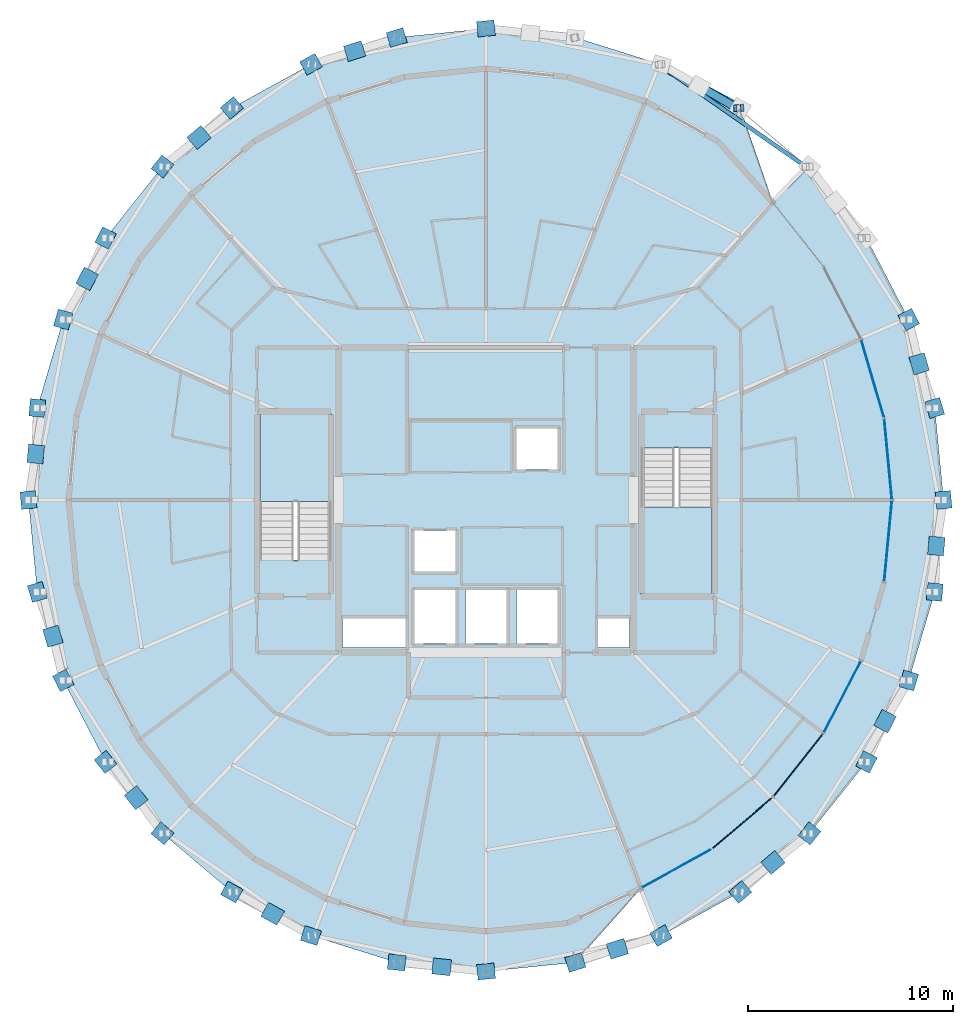
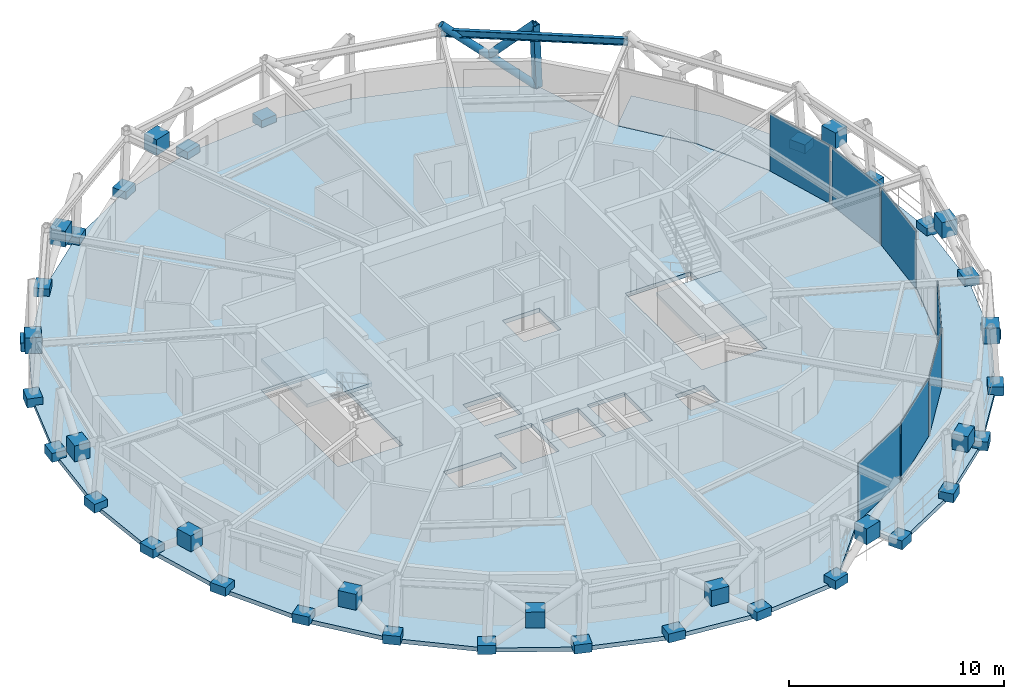
# One storey, part 9 of 15: 47 plates, 4 slabs, 3 members, 1 beam, 4 elements without a shape of their own.
"""IFC4 building model written with IfcOpenShell, lengths in metres."""

from ifc_helpers import new_model, si_unit, direction, frame, origin, origin_2d, place, context, subcontext, project, spatial, polyline, rectangle, hollow_rectangle, hollow_circle, i_section, outline, extrude, material, layer, layer_set, material_profile, profile_set, type_object, element, aggregate, save


model = new_model("IFC4")

# Units and contexts
model_context = context("Model", 3, precision=1e-05, world=origin(), true_north=direction((0.0, 1.0)))
body_context = subcontext(model_context, "Body", "Model", "MODEL_VIEW")
ifc_project = project(units=[si_unit("LENGTHUNIT", "METRE"), si_unit("AREAUNIT", "SQUARE_METRE"), si_unit("VOLUMEUNIT", "CUBIC_METRE"), si_unit("PLANEANGLEUNIT", "RADIAN"), si_unit("MASSUNIT", "GRAM", prefix="KILO")], contexts=[model_context])

# Site, building, storey
site_placement = place(None, origin())
site = spatial("IfcSite", under=ifc_project, at=site_placement, CompositionType="ELEMENT")
building_placement = place(site_placement, origin())
building = spatial("IfcBuilding", under=site, at=building_placement, Name="Veldorina Hangang Commons", CompositionType="ELEMENT")
storey_placement = place(building_placement, frame((0.0, 0.0, 258.0)))
storey = spatial("IfcBuildingStorey", under=building, at=storey_placement, Name="L67", CompositionType="ELEMENT", Elevation=258.0)

# Beam
ifc_material_1 = material(Name="Steel SM355-TMC", Category="steel")
ifc_material_profile_1 = material_profile(ifc_material_1, i_section(OverallWidth=0.199951171875, OverallDepth=0.39990234375, WebThickness=0.008056640625, FlangeThickness=0.012939453125, FilletRadius=0.012939453125, at=origin_2d()), Name="H-400x200x8x13")
ifc_profile_set_1 = profile_set([ifc_material_profile_1], Name="Steel SM355-TMC")
beam_type = type_object("IfcBeamType", Name="BM-RB400", PredefinedType="BEAM", material=ifc_profile_set_1)
beam_placement = place(storey_placement, frame((47.633544921875, 40.279541015625, 3.159912109375), z_axis=(-0.820856224935, 0.571134885981, 0.0), x_axis=(-0.571134885981, -0.820856224935, 0.0)))
element("IfcBeam", 1, at=beam_placement, inside=storey, type_object=beam_type, Name="L67 perimeter hoop ring beam 04", PredefinedType="BEAM", context=body_context, shape_type="SweptSolid", body=[
    extrude(i_section(OverallWidth=0.199951171875, OverallDepth=0.39990234375, WebThickness=0.008056640625, FlangeThickness=0.012939453125, FilletRadius=0.012939453125, at=origin_2d()), origin(), (0.0, 0.0, 1.0), 8.73828125),
])

# Members
ifc_material_profile_2 = material_profile(ifc_material_1, hollow_circle(Radius=0.199951171875, WallThickness=0.02001953125, at=origin_2d()), Name="CHS-400x20")
ifc_profile_set_2 = profile_set([ifc_material_profile_2], Name="Steel SM355-TMC")
member_type_1 = type_object("IfcMemberType", Name="DG-CHS400", PredefinedType="BRACE", material=ifc_profile_set_2)
member_1_placement = place(storey_placement, frame((44.418701171875, 43.151611328125, 0.0), z_axis=(-0.689047508184, 0.367379034182, 0.624696867856), x_axis=(-0.470475597011, -0.882413005694, 0.0)))
element("IfcMember", 2, at=member_1_placement, inside=storey, type_object=member_type_1, Name="L67 continuous perimeter diagrid brace 05", PredefinedType="BRACE", context=body_context, shape_type="SweptSolid", body=[
    extrude(hollow_circle(Radius=0.199951171875, WallThickness=0.02001953125, at=origin_2d()), origin(), (0.0, 0.0, 1.0), 5.762939453125),
])
member_2_placement = place(storey_placement, frame((42.423583984375, 44.21533203125, 1.80859375), z_axis=(0.661177037442, -0.385745064683, 0.643463806466), x_axis=(0.503928005216, 0.863745660226, 0.0)))
element("IfcMember", 3, at=member_2_placement, inside=storey, type_object=member_type_1, Name="L67 split perimeter diagrid upper brace 06", PredefinedType="BRACE", context=body_context, shape_type="SweptSolid", body=[
    extrude(hollow_circle(Radius=0.199951171875, WallThickness=0.02001953125, at=origin_2d()), origin(), (0.0, 0.0, 1.0), 2.7841796875),
])
ifc_material_profile_3 = material_profile(ifc_material_1, hollow_rectangle(XDim=0.35009765625, YDim=0.35009765625, WallThickness=0.01611328125, at=origin_2d()), Name="SHS-350x350x16")
ifc_profile_set_3 = profile_set([ifc_material_profile_3], Name="Steel SM355-TMC")
member_type_2 = type_object("IfcMemberType", Name="STR-SHS350", PredefinedType="STRUT", material=ifc_profile_set_3)
member_3_placement = place(storey_placement, frame((44.418701171875, 43.151611328125, 0.0), z_axis=(-0.042819597271, -0.002845606148, 0.999078767973), x_axis=(0.066309434359, -0.997799107494, 0.0)))
element("IfcMember", 4, at=member_3_placement, inside=storey, type_object=member_type_2, Name="L67 perimeter ring node post 05", PredefinedType="STRUT", context=body_context, shape_type="SweptSolid", body=[
    extrude(hollow_rectangle(XDim=0.35009765625, YDim=0.35009765625, WallThickness=0.01611328125, at=origin_2d()), origin(), (0.0, 0.0, 1.0), 3.603515625),
])

# Curtain wall, plates
ifc_material_2 = material(Name="Glass Low-E Selective", Category="glass")
ifc_layer_1 = layer(ifc_material_2, 0.179931640625)
ifc_layer_set_1 = layer_set([ifc_layer_1], Name="Glass Low-E Selective")
curtain_wall_type = type_object("IfcCurtainWallType", Name="CW-SYS-Z3", PredefinedType="NOTDEFINED", material=ifc_layer_set_1)
curtain_wall_1_placement = place(storey_placement, origin())
curtain_wall_1 = element("IfcCurtainWall", 5, at=curtain_wall_1_placement, inside=storey, type_object=curtain_wall_type, Name="L67 unitised curtain wall CW-L67-R1", PredefinedType="NOTDEFINED")
ifc_material_3 = material(Name="Glass Low-E Triple IGU", Category="glass")
ifc_layer_2 = layer(ifc_material_3, 0.0400390625)
ifc_layer_set_2 = layer_set([ifc_layer_2], Name="Glass Low-E Triple IGU")
plate_type_1 = type_object("IfcPlateType", Name="CW-PNL-VIS", PredefinedType="CURTAIN_PANEL", material=ifc_layer_set_2)
plate_1_placement = place(storey_placement, frame((41.30419921875, 5.99609375, 0.014892578125), z_axis=(0.0, 0.0, 1.0), x_axis=(0.875160698933, 0.483832358408, 0.0)))
plate_1 = element("IfcPlate", 6, at=plate_1_placement, type_object=plate_type_1, Name="CW-L67-R1 facet 1 glazed vision panel", PredefinedType="CURTAIN_PANEL", context=body_context, shape_type="SweptSolid", body=[
    extrude(rectangle(XDim=3.73779296875, YDim=0.0400390625, at=origin_2d()), origin(), (0.0, 0.0, 1.0), 3.2900390625),
])
plate_2_placement = place(storey_placement, frame((44.521240234375, 8.219482421875, 0.014892578125), z_axis=(0.0, 0.0, 1.0), x_axis=(0.762374747289, 0.647135800814, 0.0)))
plate_2 = element("IfcPlate", 7, at=plate_2_placement, type_object=plate_type_1, Name="CW-L67-R1 facet 2 glazed vision panel", PredefinedType="CURTAIN_PANEL", context=body_context, shape_type="SweptSolid", body=[
    extrude(rectangle(XDim=3.76220703125, YDim=0.0400390625, at=origin_2d()), origin(), (0.0, 0.0, 1.0), 3.2900390625),
])
plate_3_placement = place(storey_placement, frame((47.257080078125, 11.04931640625, 0.014892578125), z_axis=(0.0, 0.0, 1.0), x_axis=(0.621571708307, 0.783357269343, 0.0)))
plate_3 = element("IfcPlate", 8, at=plate_3_placement, type_object=plate_type_1, Name="CW-L67-R1 facet 3 glazed vision panel", PredefinedType="CURTAIN_PANEL", context=body_context, shape_type="SweptSolid", body=[
    extrude(rectangle(XDim=3.7880859375, YDim=0.0400390625, at=origin_2d()), origin(), (0.0, 0.0, 1.0), 3.2900390625),
])
plate_4_placement = place(storey_placement, frame((49.40673828125, 14.376708984375, 0.014892578125), z_axis=(0.0, 0.0, 1.0), x_axis=(0.459083760002, 0.888392988099, 0.0)))
plate_4 = element("IfcPlate", 9, at=plate_4_placement, type_object=plate_type_1, Name="CW-L67-R1 facet 4 glazed vision panel", PredefinedType="CURTAIN_PANEL", context=body_context, shape_type="SweptSolid", body=[
    extrude(rectangle(XDim=3.81201171875, YDim=0.0400390625, at=origin_2d()), origin(), (0.0, 0.0, 1.0), 3.2900390625),
])
aggregate(curtain_wall_1, [plate_1, plate_2, plate_3, plate_4])

curtain_wall_2_placement = place(storey_placement, origin())
curtain_wall_2 = element("IfcCurtainWall", 10, at=curtain_wall_2_placement, inside=storey, type_object=curtain_wall_type, Name="L67 unitised curtain wall CW-L67-R2", PredefinedType="NOTDEFINED")
plate_5_placement = place(storey_placement, frame((51.642333984375, 21.9990234375, 0.014892578125), z_axis=(0.0, 0.0, 1.0), x_axis=(0.094803323696, 0.995496021999, 0.0)))
plate_5 = element("IfcPlate", 11, at=plate_5_placement, type_object=plate_type_1, Name="CW-L67-R2 facet 1 glazed vision panel", PredefinedType="CURTAIN_PANEL", context=body_context, shape_type="SweptSolid", body=[
    extrude(rectangle(XDim=3.840087890625, YDim=0.0400390625, at=origin_2d()), origin(), (0.0, 0.0, 1.0), 3.2900390625),
])
plate_6_placement = place(storey_placement, frame((51.642333984375, 26.0009765625, 0.014892578125), z_axis=(0.0, 0.0, 1.0), x_axis=(-0.094803323696, 0.995496021999, 0.0)))
plate_6 = element("IfcPlate", 12, at=plate_6_placement, type_object=plate_type_1, Name="CW-L67-R2 facet 2 glazed vision panel", PredefinedType="CURTAIN_PANEL", context=body_context, shape_type="SweptSolid", body=[
    extrude(rectangle(XDim=3.840087890625, YDim=0.0400390625, at=origin_2d()), origin(), (0.0, 0.0, 1.0), 3.2900390625),
])
plate_7_placement = place(storey_placement, frame((50.887451171875, 29.926025390625, 0.014892578125), z_axis=(0.0, 0.0, 1.0), x_axis=(-0.281420451592, 0.959584560852, 0.0)))
plate_7 = element("IfcPlate", 13, at=plate_7_placement, type_object=plate_type_1, Name="CW-L67-R2 facet 3 glazed vision panel", PredefinedType="CURTAIN_PANEL", context=body_context, shape_type="SweptSolid", body=[
    extrude(rectangle(XDim=3.830322265625, YDim=0.0400390625, at=origin_2d()), origin(), (0.0, 0.0, 1.0), 3.2900390625),
])
aggregate(curtain_wall_2, [plate_5, plate_6, plate_7])

# Plates
ifc_material_4 = material(Name="Steel SM460-TMC", Category="steel")
ifc_layer_3 = layer(ifc_material_4, 0.035888671875)
ifc_layer_set_3 = layer_set([ifc_layer_3], Name="Steel SM460-TMC")
plate_type_2 = type_object("IfcPlateType", Name="PL-STAR-36", PredefinedType="USERDEFINED", material=ifc_layer_set_3)
for number, where, z_axis, x_axis, name in (
    (14, (54.352783203125, 24.0, -0.090087890625), (0.0, 0.0, 1.0), (-0.095150811579, 0.995462868748, 0.0), "L67 diagrid star-node gusset plate 00"),
    (15, (53.92333984375, 28.49365234375, -0.090087890625), (0.0, 0.0, 1.0), (-0.282408428904, 0.95929426105, 0.0), "L67 diagrid star-node gusset plate 01"),
):
    element("IfcPlate", number, at=place(storey_placement, frame(where, z_axis=z_axis, x_axis=x_axis)), inside=storey, type_object=plate_type_2, Name=name, ObjectType="GUSSET PLATE", PredefinedType="USERDEFINED", context=body_context, shape_type="SweptSolid", body=[
        extrude(rectangle(XDim=0.85009765625, YDim=0.75, at=origin_2d()), origin(), (0.0, 0.0, 1.0), 0.5),
    ])
plate_8_placement = place(storey_placement, frame((53.158447265625, 30.6533203125, 1.351318359375), z_axis=(0.0, 0.0, 1.0), x_axis=(-0.282408428904, 0.95929426105, 0.0)))
element("IfcPlate", 16, at=plate_8_placement, inside=storey, type_object=plate_type_2, Name="L67 diagrid X-crossing star-node gusset plate 01", ObjectType="GUSSET PLATE", PredefinedType="USERDEFINED", context=body_context, shape_type="SweptSolid", body=[
    extrude(rectangle(XDim=0.89990234375, YDim=0.780029296875, at=origin_2d()), origin(), (0.0, 0.0, 1.0), 0.89990234375),
])
for number, where, z_axis, x_axis, name in (
    (17, (52.6513671875, 32.814453125, -0.090087890625), (0.0, 0.0, 1.0), (-0.460463184651, 0.887678802034, 0.0), "L67 diagrid star-node gusset plate 02"),
    (18, (32.0, 47.033203125, -0.090087890625), (0.0, 0.0, 1.0), (-0.994889523866, -0.100969477078, 0.0), "L67 diagrid star-node gusset plate 08"),
    (19, (27.63916015625, 46.5908203125, -0.090087890625), (0.0, 0.0, 1.0), (-0.954459280468, -0.29834121728, 0.0), "L67 diagrid star-node gusset plate 09"),
):
    element("IfcPlate", number, at=place(storey_placement, frame(where, z_axis=z_axis, x_axis=x_axis)), inside=storey, type_object=plate_type_2, Name=name, ObjectType="GUSSET PLATE", PredefinedType="USERDEFINED", context=body_context, shape_type="SweptSolid", body=[
        extrude(rectangle(XDim=0.85009765625, YDim=0.75, at=origin_2d()), origin(), (0.0, 0.0, 1.0), 0.5),
    ])
plate_9_placement = place(storey_placement, frame((25.583984375, 45.926025390625, 1.3603515625), z_axis=(0.0, 0.0, 1.0), x_axis=(-0.954459280468, -0.29834121728, 0.0)))
element("IfcPlate", 20, at=plate_9_placement, inside=storey, type_object=plate_type_2, Name="L67 diagrid X-crossing star-node gusset plate 09", ObjectType="GUSSET PLATE", PredefinedType="USERDEFINED", context=body_context, shape_type="SweptSolid", body=[
    extrude(rectangle(XDim=0.89990234375, YDim=0.780029296875, at=origin_2d()), origin(), (0.0, 0.0, 1.0), 0.89990234375),
])
for number, where, z_axis, x_axis, name in (
    (21, (23.446044921875, 45.280029296875, -0.090087890625), (0.0, 0.0, 1.0), (-0.875928041357, -0.482441775103, 0.0), "L67 diagrid star-node gusset plate 10"),
    (22, (19.581298828125, 43.151611328125, -0.090087890625), (0.0, 0.0, 1.0), (-0.763559404739, -0.645737590229, 0.0), "L67 diagrid star-node gusset plate 11"),
):
    element("IfcPlate", number, at=place(storey_placement, frame(where, z_axis=z_axis, x_axis=x_axis)), inside=storey, type_object=plate_type_2, Name=name, ObjectType="GUSSET PLATE", PredefinedType="USERDEFINED", context=body_context, shape_type="SweptSolid", body=[
        extrude(rectangle(XDim=0.85009765625, YDim=0.75, at=origin_2d()), origin(), (0.0, 0.0, 1.0), 0.5),
    ])
plate_10_placement = place(storey_placement, frame((17.97998046875, 41.709716796875, 1.356689453125), z_axis=(0.0, 0.0, 1.0), x_axis=(-0.763559404739, -0.645737590229, 0.0)))
element("IfcPlate", 23, at=plate_10_placement, inside=storey, type_object=plate_type_2, Name="L67 diagrid X-crossing star-node gusset plate 11", ObjectType="GUSSET PLATE", PredefinedType="USERDEFINED", context=body_context, shape_type="SweptSolid", body=[
    extrude(rectangle(XDim=0.89990234375, YDim=0.780029296875, at=origin_2d()), origin(), (0.0, 0.0, 1.0), 0.89990234375),
])
for number, where, z_axis, x_axis, name in (
    (24, (16.194091796875, 40.287109375, -0.090087890625), (0.0, 0.0, 1.0), (-0.622992588578, -0.782227738307, 0.0), "L67 diagrid star-node gusset plate 12"),
    (25, (13.414306640625, 36.796630859375, -0.090087890625), (0.0, 0.0, 1.0), (-0.460463184651, -0.887678802034, 0.0), "L67 diagrid star-node gusset plate 13"),
):
    element("IfcPlate", number, at=place(storey_placement, frame(where, z_axis=z_axis, x_axis=x_axis)), inside=storey, type_object=plate_type_2, Name=name, ObjectType="GUSSET PLATE", PredefinedType="USERDEFINED", context=body_context, shape_type="SweptSolid", body=[
        extrude(rectangle(XDim=0.85009765625, YDim=0.75, at=origin_2d()), origin(), (0.0, 0.0, 1.0), 0.5),
    ])
plate_11_placement = place(storey_placement, frame((12.50830078125, 34.80029296875, 1.352783203125), z_axis=(0.0, 0.0, 1.0), x_axis=(-0.460463184651, -0.887678802034, 0.0)))
element("IfcPlate", 26, at=plate_11_placement, inside=storey, type_object=plate_type_2, Name="L67 diagrid X-crossing star-node gusset plate 13", ObjectType="GUSSET PLATE", PredefinedType="USERDEFINED", context=body_context, shape_type="SweptSolid", body=[
    extrude(rectangle(XDim=0.89990234375, YDim=0.780029296875, at=origin_2d()), origin(), (0.0, 0.0, 1.0), 0.89990234375),
])
for number, where, z_axis, x_axis, name in (
    (27, (11.3486328125, 32.814453125, -0.090087890625), (0.0, 0.0, 1.0), (-0.282408428904, -0.95929426105, 0.0), "L67 diagrid star-node gusset plate 14"),
    (28, (10.07666015625, 28.49365234375, -0.090087890625), (0.0, 0.0, 1.0), (-0.095150811579, -0.995462868748, 0.0), "L67 diagrid star-node gusset plate 15"),
):
    element("IfcPlate", number, at=place(storey_placement, frame(where, z_axis=z_axis, x_axis=x_axis)), inside=storey, type_object=plate_type_2, Name=name, ObjectType="GUSSET PLATE", PredefinedType="USERDEFINED", context=body_context, shape_type="SweptSolid", body=[
        extrude(rectangle(XDim=0.85009765625, YDim=0.75, at=origin_2d()), origin(), (0.0, 0.0, 1.0), 0.5),
    ])
plate_12_placement = place(storey_placement, frame((10.000732421875, 26.24609375, 1.3505859375), z_axis=(0.0, 0.0, 1.0), x_axis=(-0.095150811579, -0.995462868748, 0.0)))
element("IfcPlate", 29, at=plate_12_placement, inside=storey, type_object=plate_type_2, Name="L67 diagrid X-crossing star-node gusset plate 15", ObjectType="GUSSET PLATE", PredefinedType="USERDEFINED", context=body_context, shape_type="SweptSolid", body=[
    extrude(rectangle(XDim=0.89990234375, YDim=0.780029296875, at=origin_2d()), origin(), (0.0, 0.0, 1.0), 0.89990234375),
])
for number, where, z_axis, x_axis, name in (
    (30, (9.647216796875, 24.0, -0.090087890625), (0.0, 0.0, 1.0), (0.095150811579, -0.995462868748, 0.0), "L67 diagrid star-node gusset plate 16"),
    (31, (10.07666015625, 19.50634765625, -0.090087890625), (0.0, 0.0, 1.0), (0.282408428904, -0.95929426105, 0.0), "L67 diagrid star-node gusset plate 17"),
):
    element("IfcPlate", number, at=place(storey_placement, frame(where, z_axis=z_axis, x_axis=x_axis)), inside=storey, type_object=plate_type_2, Name=name, ObjectType="GUSSET PLATE", PredefinedType="USERDEFINED", context=body_context, shape_type="SweptSolid", body=[
        extrude(rectangle(XDim=0.85009765625, YDim=0.75, at=origin_2d()), origin(), (0.0, 0.0, 1.0), 0.5),
    ])
plate_13_placement = place(storey_placement, frame((10.841552734375, 17.3466796875, 1.351318359375), z_axis=(0.0, 0.0, 1.0), x_axis=(0.282408428904, -0.95929426105, 0.0)))
element("IfcPlate", 32, at=plate_13_placement, inside=storey, type_object=plate_type_2, Name="L67 diagrid X-crossing star-node gusset plate 17", ObjectType="GUSSET PLATE", PredefinedType="USERDEFINED", context=body_context, shape_type="SweptSolid", body=[
    extrude(rectangle(XDim=0.89990234375, YDim=0.780029296875, at=origin_2d()), origin(), (0.0, 0.0, 1.0), 0.89990234375),
])
for number, where, z_axis, x_axis, name in (
    (33, (11.3486328125, 15.185546875, -0.090087890625), (0.0, 0.0, 1.0), (0.460463184651, -0.887678802034, 0.0), "L67 diagrid star-node gusset plate 18"),
    (34, (13.414306640625, 11.203369140625, -0.090087890625), (0.0, 0.0, 1.0), (0.622992588578, -0.782227738307, 0.0), "L67 diagrid star-node gusset plate 19"),
):
    element("IfcPlate", number, at=place(storey_placement, frame(where, z_axis=z_axis, x_axis=x_axis)), inside=storey, type_object=plate_type_2, Name=name, ObjectType="GUSSET PLATE", PredefinedType="USERDEFINED", context=body_context, shape_type="SweptSolid", body=[
        extrude(rectangle(XDim=0.85009765625, YDim=0.75, at=origin_2d()), origin(), (0.0, 0.0, 1.0), 0.5),
    ])
plate_14_placement = place(storey_placement, frame((14.90625, 9.4580078125, 1.354736328125), z_axis=(0.0, 0.0, 1.0), x_axis=(0.622992588578, -0.782227738307, 0.0)))
element("IfcPlate", 35, at=plate_14_placement, inside=storey, type_object=plate_type_2, Name="L67 diagrid X-crossing star-node gusset plate 19", ObjectType="GUSSET PLATE", PredefinedType="USERDEFINED", context=body_context, shape_type="SweptSolid", body=[
    extrude(rectangle(XDim=0.89990234375, YDim=0.780029296875, at=origin_2d()), origin(), (0.0, 0.0, 1.0), 0.89990234375),
])
for number, where, z_axis, x_axis, name in (
    (36, (16.194091796875, 7.712890625, -0.090087890625), (0.0, 0.0, 1.0), (0.763559404739, -0.645737590229, 0.0), "L67 diagrid star-node gusset plate 20"),
    (37, (19.581298828125, 4.848388671875, -0.090087890625), (0.0, 0.0, 1.0), (0.875928041357, -0.482441775103, 0.0), "L67 diagrid star-node gusset plate 21"),
):
    element("IfcPlate", number, at=place(storey_placement, frame(where, z_axis=z_axis, x_axis=x_axis)), inside=storey, type_object=plate_type_2, Name=name, ObjectType="GUSSET PLATE", PredefinedType="USERDEFINED", context=body_context, shape_type="SweptSolid", body=[
        extrude(rectangle(XDim=0.85009765625, YDim=0.75, at=origin_2d()), origin(), (0.0, 0.0, 1.0), 0.5),
    ])
plate_15_placement = place(storey_placement, frame((21.576416015625, 3.78466796875, 1.358642578125), z_axis=(0.0, 0.0, 1.0), x_axis=(0.875928041357, -0.482441775103, 0.0)))
element("IfcPlate", 38, at=plate_15_placement, inside=storey, type_object=plate_type_2, Name="L67 diagrid X-crossing star-node gusset plate 21", ObjectType="GUSSET PLATE", PredefinedType="USERDEFINED", context=body_context, shape_type="SweptSolid", body=[
    extrude(rectangle(XDim=0.89990234375, YDim=0.780029296875, at=origin_2d()), origin(), (0.0, 0.0, 1.0), 0.89990234375),
])
for number, where, z_axis, x_axis, name in (
    (39, (23.446044921875, 2.719970703125, -0.090087890625), (0.0, 0.0, 1.0), (0.954459280468, -0.29834121728, 0.0), "L67 diagrid star-node gusset plate 22"),
    (40, (27.63916015625, 1.4091796875, -0.090087890625), (0.0, 0.0, 1.0), (0.994889523866, -0.100969477078, 0.0), "L67 diagrid star-node gusset plate 23"),
):
    element("IfcPlate", number, at=place(storey_placement, frame(where, z_axis=z_axis, x_axis=x_axis)), inside=storey, type_object=plate_type_2, Name=name, ObjectType="GUSSET PLATE", PredefinedType="USERDEFINED", context=body_context, shape_type="SweptSolid", body=[
        extrude(rectangle(XDim=0.85009765625, YDim=0.75, at=origin_2d()), origin(), (0.0, 0.0, 1.0), 0.5),
    ])
plate_16_placement = place(storey_placement, frame((29.8330078125, 1.192626953125, 1.361083984375), z_axis=(0.0, 0.0, 1.0), x_axis=(0.994889523866, -0.100969477078, 0.0)))
element("IfcPlate", 41, at=plate_16_placement, inside=storey, type_object=plate_type_2, Name="L67 diagrid X-crossing star-node gusset plate 23", ObjectType="GUSSET PLATE", PredefinedType="USERDEFINED", context=body_context, shape_type="SweptSolid", body=[
    extrude(rectangle(XDim=0.89990234375, YDim=0.780029296875, at=origin_2d()), origin(), (0.0, 0.0, 1.0), 0.89990234375),
])
for number, where, z_axis, x_axis, name in (
    (42, (32.0, 0.966796875, -0.090087890625), (0.0, 0.0, 1.0), (0.994889523866, 0.100969477078, 0.0), "L67 diagrid star-node gusset plate 24"),
    (43, (36.36083984375, 1.4091796875, -0.090087890625), (0.0, 0.0, 1.0), (0.954459280468, 0.29834121728, 0.0), "L67 diagrid star-node gusset plate 25"),
):
    element("IfcPlate", number, at=place(storey_placement, frame(where, z_axis=z_axis, x_axis=x_axis)), inside=storey, type_object=plate_type_2, Name=name, ObjectType="GUSSET PLATE", PredefinedType="USERDEFINED", context=body_context, shape_type="SweptSolid", body=[
        extrude(rectangle(XDim=0.85009765625, YDim=0.75, at=origin_2d()), origin(), (0.0, 0.0, 1.0), 0.5),
    ])
plate_17_placement = place(storey_placement, frame((38.416015625, 2.073974609375, 1.3603515625), z_axis=(0.0, 0.0, 1.0), x_axis=(0.954459280468, 0.29834121728, 0.0)))
element("IfcPlate", 44, at=plate_17_placement, inside=storey, type_object=plate_type_2, Name="L67 diagrid X-crossing star-node gusset plate 25", ObjectType="GUSSET PLATE", PredefinedType="USERDEFINED", context=body_context, shape_type="SweptSolid", body=[
    extrude(rectangle(XDim=0.89990234375, YDim=0.780029296875, at=origin_2d()), origin(), (0.0, 0.0, 1.0), 0.89990234375),
])
for number, where, z_axis, x_axis, name in (
    (45, (40.553955078125, 2.719970703125, -0.090087890625), (0.0, 0.0, 1.0), (0.875928041357, 0.482441775103, 0.0), "L67 diagrid star-node gusset plate 26"),
    (46, (44.418701171875, 4.848388671875, -0.090087890625), (0.0, 0.0, 1.0), (0.763559404739, 0.645737590229, 0.0), "L67 diagrid star-node gusset plate 27"),
):
    element("IfcPlate", number, at=place(storey_placement, frame(where, z_axis=z_axis, x_axis=x_axis)), inside=storey, type_object=plate_type_2, Name=name, ObjectType="GUSSET PLATE", PredefinedType="USERDEFINED", context=body_context, shape_type="SweptSolid", body=[
        extrude(rectangle(XDim=0.85009765625, YDim=0.75, at=origin_2d()), origin(), (0.0, 0.0, 1.0), 0.5),
    ])
plate_18_placement = place(storey_placement, frame((46.02001953125, 6.290283203125, 1.356689453125), z_axis=(0.0, 0.0, 1.0), x_axis=(0.763559404739, 0.645737590229, 0.0)))
element("IfcPlate", 47, at=plate_18_placement, inside=storey, type_object=plate_type_2, Name="L67 diagrid X-crossing star-node gusset plate 27", ObjectType="GUSSET PLATE", PredefinedType="USERDEFINED", context=body_context, shape_type="SweptSolid", body=[
    extrude(rectangle(XDim=0.89990234375, YDim=0.780029296875, at=origin_2d()), origin(), (0.0, 0.0, 1.0), 0.89990234375),
])
for number, where, z_axis, x_axis, name in (
    (48, (47.805908203125, 7.712890625, -0.090087890625), (0.0, 0.0, 1.0), (0.622992588578, 0.782227738307, 0.0), "L67 diagrid star-node gusset plate 28"),
    (49, (50.585693359375, 11.203369140625, -0.090087890625), (0.0, 0.0, 1.0), (0.460463184651, 0.887678802034, 0.0), "L67 diagrid star-node gusset plate 29"),
):
    element("IfcPlate", number, at=place(storey_placement, frame(where, z_axis=z_axis, x_axis=x_axis)), inside=storey, type_object=plate_type_2, Name=name, ObjectType="GUSSET PLATE", PredefinedType="USERDEFINED", context=body_context, shape_type="SweptSolid", body=[
        extrude(rectangle(XDim=0.85009765625, YDim=0.75, at=origin_2d()), origin(), (0.0, 0.0, 1.0), 0.5),
    ])
plate_19_placement = place(storey_placement, frame((51.49169921875, 13.19970703125, 1.352783203125), z_axis=(0.0, 0.0, 1.0), x_axis=(0.460463184651, 0.887678802034, 0.0)))
element("IfcPlate", 50, at=plate_19_placement, inside=storey, type_object=plate_type_2, Name="L67 diagrid X-crossing star-node gusset plate 29", ObjectType="GUSSET PLATE", PredefinedType="USERDEFINED", context=body_context, shape_type="SweptSolid", body=[
    extrude(rectangle(XDim=0.89990234375, YDim=0.780029296875, at=origin_2d()), origin(), (0.0, 0.0, 1.0), 0.89990234375),
])
for number, where, z_axis, x_axis, name in (
    (51, (52.6513671875, 15.185546875, -0.090087890625), (0.0, 0.0, 1.0), (0.282408428904, 0.95929426105, 0.0), "L67 diagrid star-node gusset plate 30"),
    (52, (53.92333984375, 19.50634765625, -0.090087890625), (0.0, 0.0, 1.0), (0.095150811579, 0.995462868748, 0.0), "L67 diagrid star-node gusset plate 31"),
):
    element("IfcPlate", number, at=place(storey_placement, frame(where, z_axis=z_axis, x_axis=x_axis)), inside=storey, type_object=plate_type_2, Name=name, ObjectType="GUSSET PLATE", PredefinedType="USERDEFINED", context=body_context, shape_type="SweptSolid", body=[
        extrude(rectangle(XDim=0.85009765625, YDim=0.75, at=origin_2d()), origin(), (0.0, 0.0, 1.0), 0.5),
    ])
plate_20_placement = place(storey_placement, frame((53.999267578125, 21.75390625, 1.3505859375), z_axis=(0.0, 0.0, 1.0), x_axis=(0.095150811579, 0.995462868748, 0.0)))
element("IfcPlate", 53, at=plate_20_placement, inside=storey, type_object=plate_type_2, Name="L67 diagrid X-crossing star-node gusset plate 31", ObjectType="GUSSET PLATE", PredefinedType="USERDEFINED", context=body_context, shape_type="SweptSolid", body=[
    extrude(rectangle(XDim=0.89990234375, YDim=0.780029296875, at=origin_2d()), origin(), (0.0, 0.0, 1.0), 0.89990234375),
])

# Slabs
ifc_material_5 = material(Name="Concrete C40/50", Category="concrete")
ifc_layer_4 = layer(ifc_material_5, 0.239990234375)
ifc_layer_set_4 = layer_set([ifc_layer_4], Name="Concrete C40/50")
slab_type_1 = type_object("IfcSlabType", Name="SL-FLR-240", PredefinedType="FLOOR", material=ifc_layer_set_4)
slab_1_placement = place(storey_placement, frame((0.0, 0.0, -0.239990234375)))
element("IfcSlab", 54, at=slab_1_placement, inside=storey, type_object=slab_type_1, Name="L67 tower structural floor slab", PredefinedType="FLOOR", context=body_context, shape_type="SweptSolid", body=[
    extrude(outline(polyline([(51.832763671875, 24.0), (51.45166015625, 28.001953125), (50.322998046875, 31.85009765625), (48.490478515625, 35.396484375), (46.02392578125, 38.505126953125), (44.418701171875, 43.151611328125), (40.553955078125, 45.280029296875), (36.36083984375, 46.5908203125), (32.0, 47.033203125), (27.63916015625, 46.5908203125), (23.446044921875, 45.280029296875), (19.581298828125, 43.151611328125), (16.194091796875, 40.287109375), (13.414306640625, 36.796630859375), (11.3486328125, 32.814453125), (10.07666015625, 28.49365234375), (9.647216796875, 24.0), (10.07666015625, 19.50634765625), (11.3486328125, 15.185546875), (13.414306640625, 11.203369140625), (16.194091796875, 7.712890625), (19.581298828125, 4.848388671875), (23.446044921875, 2.719970703125), (27.63916015625, 1.4091796875), (32.0, 0.966796875), (36.36083984375, 1.4091796875), (39.589599609375, 5.048095703125), (43.0185546875, 6.94384765625), (46.02392578125, 9.494873046875), (48.490478515625, 12.603515625), (50.322998046875, 16.14990234375), (51.45166015625, 19.998046875), (51.832763671875, 24.0)]), holes=[polyline([(20.949951171875, 21.05810546875), (20.949951171875, 28.199951171875), (24.449951171875, 28.199951171875), (24.449951171875, 21.05810546875), (20.949951171875, 21.05810546875)]), polyline([(43.050048828125, 26.5419921875), (43.050048828125, 19.39990234375), (39.550048828125, 19.39990234375), (39.550048828125, 26.5419921875), (43.050048828125, 26.5419921875)]), polyline([(33.5, 27.5), (35.5, 27.5), (35.5, 25.5), (33.5, 25.5), (33.5, 27.5)]), polyline([(28.5, 22.5), (30.5, 22.5), (30.5, 20.5), (28.5, 20.5), (28.5, 22.5)]), polyline([(28.5, 19.60009765625), (30.5, 19.60009765625), (30.5, 17.0), (28.5, 17.0), (28.5, 19.60009765625)]), polyline([(31.0, 19.60009765625), (33.0, 19.60009765625), (33.0, 17.0), (31.0, 17.0), (31.0, 19.60009765625)]), polyline([(33.5, 19.60009765625), (35.5, 19.60009765625), (35.5, 17.0), (33.5, 17.0), (33.5, 19.60009765625)]), polyline([(25.0, 18.25), (28.10009765625, 18.25), (28.10009765625, 16.800048828125), (25.0, 16.800048828125), (25.0, 18.25)]), polyline([(37.449951171875, 18.25), (39.0, 18.25), (39.0, 16.800048828125), (37.449951171875, 16.800048828125), (37.449951171875, 18.25)])]), origin(), (0.0, 0.0, 1.0), 0.239990234375),
])
slab_2_placement = place(storey_placement, frame((0.0, 0.0, -0.239990234375)))
element("IfcSlab", 55, at=slab_2_placement, inside=storey, type_object=slab_type_1, Name="L67 sky-garden loggia outdoor slab", PredefinedType="FLOOR", context=body_context, shape_type="SweptSolid", body=[
    extrude(outline(polyline([(47.805908203125, 40.287109375), (50.585693359375, 36.796630859375), (52.6513671875, 32.814453125), (53.92333984375, 28.49365234375), (54.352783203125, 24.0), (53.92333984375, 19.50634765625), (52.6513671875, 15.185546875), (50.585693359375, 11.203369140625), (47.805908203125, 7.712890625), (44.418701171875, 4.848388671875), (40.553955078125, 2.719970703125), (39.59619140625, 5.03271484375), (39.59912109375, 5.036376953125), (43.02587890625, 6.9306640625), (43.027099609375, 6.931396484375), (43.0283203125, 6.932373046875), (46.03369140625, 9.4833984375), (46.03466796875, 9.484619140625), (46.03564453125, 9.485595703125), (48.502197265625, 12.593994140625), (48.5029296875, 12.59521484375), (48.503662109375, 12.596435546875), (50.33642578125, 16.14306640625), (50.3369140625, 16.144287109375), (50.33740234375, 16.145751953125), (51.466064453125, 19.993896484375), (51.46630859375, 19.995361328125), (51.466552734375, 19.99658203125), (51.84765625, 23.99853515625), (51.847900390625, 24.0), (51.84765625, 24.00146484375), (51.466552734375, 28.00341796875), (51.46630859375, 28.004638671875), (51.466064453125, 28.006103515625), (50.33740234375, 31.854248046875), (50.3369140625, 31.855712890625), (50.33642578125, 31.85693359375), (48.503662109375, 35.403564453125), (48.5029296875, 35.40478515625), (48.502197265625, 35.406005859375), (46.037109375, 38.512451171875), (46.03564453125, 38.516845703125), (47.805908203125, 40.287109375)])), origin(), (0.0, 0.0, 1.0), 0.239990234375),
])

# Stair, slab
stair_type = type_object("IfcStairType", Name="STR-DOG-1650-20R", PredefinedType="HALF_TURN_STAIR", material=ifc_material_5)
stair_1_placement = place(storey_placement, origin())
stair_1 = element("IfcStair", 56, at=stair_1_placement, inside=storey, type_object=stair_type, Name="L67 Exit stair ST-1", PredefinedType="HALF_TURN_STAIR")
ifc_layer_5 = layer(ifc_material_5, 0.199951171875)
ifc_layer_set_5 = layer_set([ifc_layer_5], Name="Concrete C40/50")
slab_type_2 = type_object("IfcSlabType", Name="SL-LND-200", PredefinedType="LANDING", material=ifc_layer_set_5)
slab_3_placement = place(storey_placement, frame((0.0, 0.0, 1.60009765625)))
slab_3 = element("IfcSlab", 57, at=slab_3_placement, type_object=slab_type_2, Name="ST-1 landing 1", PredefinedType="LANDING", context=body_context, shape_type="SweptSolid", body=[
    extrude(outline(polyline([(24.449951171875, 23.929931640625), (24.449951171875, 28.199951171875), (20.949951171875, 28.199951171875), (20.949951171875, 23.929931640625), (24.449951171875, 23.929931640625)])), origin(), (0.0, 0.0, 1.0), 0.199951171875),
])
aggregate(stair_1, [slab_3])

stair_2_placement = place(storey_placement, origin())
stair_2 = element("IfcStair", 58, at=stair_2_placement, inside=storey, type_object=stair_type, Name="L67 Exit stair ST-2", PredefinedType="HALF_TURN_STAIR")
slab_4_placement = place(storey_placement, frame((0.0, 0.0, 1.60009765625)))
slab_4 = element("IfcSlab", 59, at=slab_4_placement, type_object=slab_type_2, Name="ST-2 landing 1", PredefinedType="LANDING", context=body_context, shape_type="SweptSolid", body=[
    extrude(outline(polyline([(39.550048828125, 23.669921875), (39.550048828125, 19.39990234375), (43.050048828125, 19.39990234375), (43.050048828125, 23.669921875), (39.550048828125, 23.669921875)])), origin(), (0.0, 0.0, 1.0), 0.199951171875),
])
aggregate(stair_2, [slab_4])

save(model, "model.ifc")
